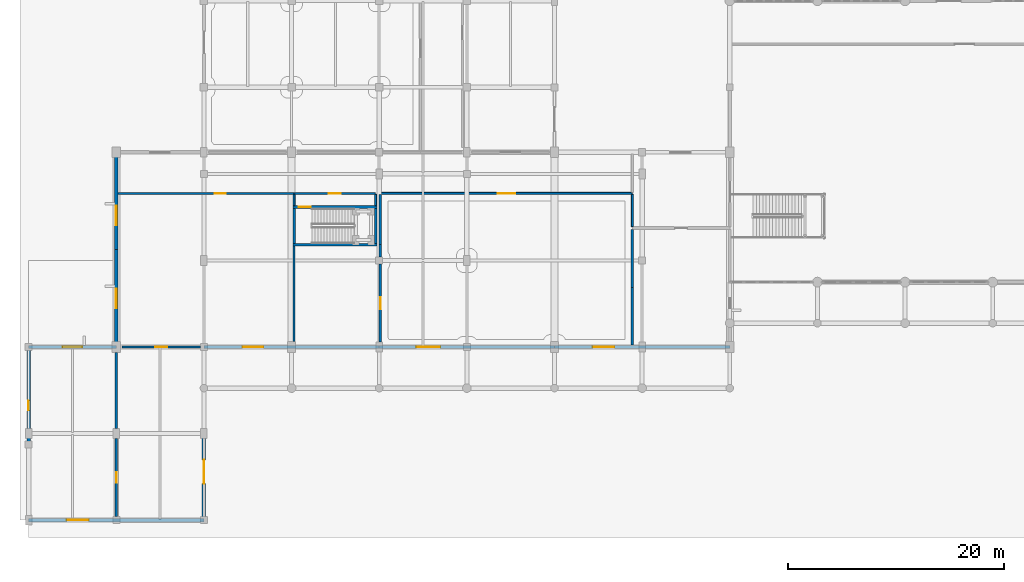
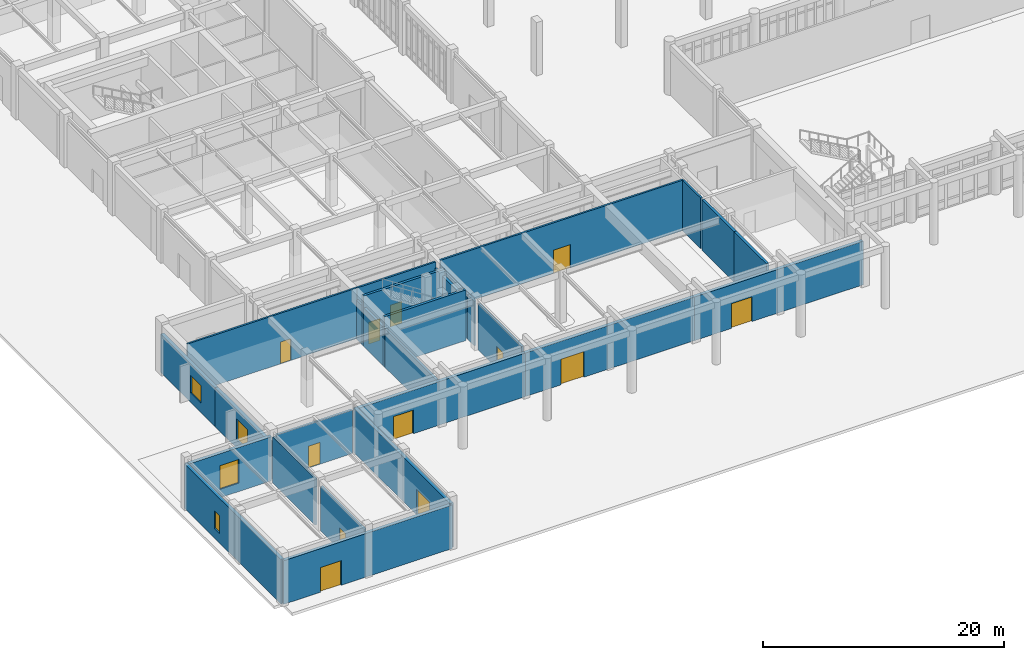
# One storey, part 41 of 62: 28 walls, 12 doors, 4 windows, 16 openings.
"""IFC4 building model written with IfcOpenShell, lengths in metres."""

from ifc_helpers import new_model, si_unit, direction, frame, frame_2d, origin, origin_with_axes, place, context, subcontext, project, spatial, rectangle, extrude, material, layer, layer_set, type_object, element, fill, save


model = new_model("IFC4")

# Units and contexts
model_context = context("Model", 3, precision=1e-05, world=origin(), true_north=direction((0.0, 1.0)))
body_context = subcontext(model_context, "Body", "Model", "MODEL_VIEW")
ifc_project = project(units=[si_unit("LENGTHUNIT", "METRE"), si_unit("AREAUNIT", "SQUARE_METRE"), si_unit("VOLUMEUNIT", "CUBIC_METRE"), si_unit("PLANEANGLEUNIT", "RADIAN"), si_unit("MASSUNIT", "GRAM", prefix="KILO")], contexts=[model_context])

# Site, building, storey
site_placement = place(None, origin())
site = spatial("IfcSite", under=ifc_project, at=site_placement, CompositionType="ELEMENT")
building_placement = place(site_placement, origin())
building = spatial("IfcBuilding", under=site, at=building_placement, Name="Tarnveldt Square Police Headquarters", CompositionType="ELEMENT")
storey_placement = place(building_placement, origin())
storey = spatial("IfcBuildingStorey", under=building, at=storey_placement, Name="L00", CompositionType="ELEMENT", Elevation=0.0)

# Wall, opening, door
ifc_material_1 = material(Name="Fire-rated Type X gypsum board on steel studs", Category="steel")
ifc_layer_1 = layer(ifc_material_1, 0.199951171875)
ifc_layer_set_1 = layer_set([ifc_layer_1], Name="Fire-rated Type X gypsum board on steel studs")
wall_type_1 = type_object("IfcWallType", Name="WL-ACOUST-200", PredefinedType="PARTITIONING", material=ifc_layer_set_1)
wall_1_placement = place(storey_placement, frame((8.60791015625, 16.0, 0.0), z_axis=(0.0, 0.0, 1.0), x_axis=(1.0, 0.0, 0.0)))
wall_1 = element("IfcWall", 1, at=wall_1_placement, inside=storey, type_object=wall_type_1, Name="L00 Interior Partition Wall 0102", PredefinedType="PARTITIONING", context=body_context, shape_type="SweptSolid", body=[
    extrude(rectangle(XDim=7.259033203125, YDim=0.199951171875, at=frame_2d((3.62939453125, 0.0))), origin(), (0.0, 0.0, 1.0), 4.412109375),
])
opening_1_placement = place(wall_1_placement, frame((3.07958984375, 0.0, 0.0)))
opening_1 = element("IfcOpeningElement", 2, at=opening_1_placement, cuts=wall_1, Name="Opening D07", PredefinedType="OPENING", context=body_context, shape_type="SweptSolid", body=[
    extrude(rectangle(XDim=1.10009765625, YDim=2.199951171875, at=frame_2d((0.550048828125, 1.10009765625))), frame((0.0, 0.10986328125, 0.0), z_axis=(0.0, -1.0, 0.0), x_axis=(1.0, 0.0, 0.0)), (0.0, 0.0, 1.0), 0.219970703125),
])
ifc_material_2 = material(Name="Solid core architectural birch door leaf", Category="wood")
door_type_1 = type_object("IfcDoorType", Name="DR-INT-1100", OperationType="NOTDEFINED", PredefinedType="DOOR", material=ifc_material_2)
door_1_placement = place(opening_1_placement, frame((1.10009765625, 0.0, 0.0), z_axis=(0.0, 0.0, 1.0), x_axis=(-1.0, 0.0, 0.0)))
door_1 = element("IfcDoor", 3, at=door_1_placement, inside=storey, type_object=door_type_1, Name="Community Liaison Consultation Room Door", OperationType="SINGLE_SWING_LEFT", OverallHeight=2.199951171875, OverallWidth=1.10009765625, PredefinedType="DOOR", context=body_context, shape_type="SweptSolid", body=[
    extrude(rectangle(XDim=1.10009765625, YDim=2.199951171875, at=frame_2d((0.550048828125, 1.10009765625))), frame((0.0, 0.02490234375, 0.0), z_axis=(0.0, -1.0, 0.0), x_axis=(1.0, 0.0, 0.0)), (0.0, 0.0, 1.0), 0.050048828125),
])
fill(opening_1, door_1)

wall_2_placement = place(storey_placement, frame((8.10009765625, 0.3330078125, 0.0), z_axis=(0.0, 0.0, 1.0), x_axis=(0.0, 1.0, 0.0)))
wall_2 = element("IfcWall", 4, at=wall_2_placement, inside=storey, type_object=wall_type_1, Name="L00 Interior Partition Wall 0142", PredefinedType="PARTITIONING", context=body_context, shape_type="SweptSolid", body=[
    extrude(rectangle(XDim=7.208984375, YDim=0.199951171875, at=frame_2d((3.6044921875, 0.0))), origin(), (0.0, 0.0, 1.0), 4.511962890625),
])
opening_2_placement = place(wall_2_placement, frame((3.1044921875, 0.0, 0.0)))
opening_2 = element("IfcOpeningElement", 5, at=opening_2_placement, cuts=wall_2, Name="Opening D05", PredefinedType="OPENING", context=body_context, shape_type="SweptSolid", body=[
    extrude(rectangle(XDim=1.0, YDim=2.199951171875, at=frame_2d((0.5, 1.10009765625))), frame((0.0, 0.10986328125, 0.0), z_axis=(0.0, -1.0, 0.0), x_axis=(1.0, 0.0, 0.0)), (0.0, 0.0, 1.0), 0.219970703125),
])
door_type_2 = type_object("IfcDoorType", Name="DR-INT-1000", OperationType="NOTDEFINED", PredefinedType="DOOR", material=ifc_material_2)
door_2_placement = place(opening_2_placement, origin())
door_2 = element("IfcDoor", 6, at=door_2_placement, inside=storey, type_object=door_type_2, Name="Civic Square Public Outreach Office Door", OperationType="SINGLE_SWING_LEFT", OverallHeight=2.199951171875, OverallWidth=1.0, PredefinedType="DOOR", context=body_context, shape_type="SweptSolid", body=[
    extrude(rectangle(XDim=1.0, YDim=2.199951171875, at=frame_2d((0.5, 1.10009765625))), frame((0.0, 0.02490234375, 0.0), z_axis=(0.0, -1.0, 0.0), x_axis=(1.0, 0.0, 0.0)), (0.0, 0.0, 1.0), 0.050048828125),
])
fill(opening_2, door_2)

# Walls
wall_3_placement = place(storey_placement, frame((8.10009765625, 8.4580078125, 0.0), z_axis=(0.0, 0.0, 1.0), x_axis=(0.0, 1.0, 0.0)))
element("IfcWall", 7, at=wall_3_placement, inside=storey, type_object=wall_type_1, Name="L00 Interior Partition Wall 0143", PredefinedType="PARTITIONING", context=body_context, shape_type="SweptSolid", body=[
    extrude(rectangle(XDim=7.033935546875, YDim=0.199951171875, at=frame_2d((3.51708984375, 0.0))), origin(), (0.0, 0.0, 1.0), 4.695068359375),
])
wall_4_placement = place(storey_placement, frame((24.530029296875, 16.508056640625, 0.0), z_axis=(0.0, 0.0, 1.0), x_axis=(0.0, 1.0, 0.0)))
element("IfcWall", 8, at=wall_4_placement, inside=storey, type_object=wall_type_1, Name="L00 Interior Partition Wall 0145", PredefinedType="PARTITIONING", context=body_context, shape_type="SweptSolid", body=[
    extrude(rectangle(XDim=8.823974609375, YDim=0.199951171875, at=frame_2d((4.412109375, 0.0))), origin(), (0.0, 0.0, 1.0), 3.912109375),
])

# Wall, opening, door
wall_5_placement = place(storey_placement, frame((32.5, 16.4580078125, 0.0), z_axis=(0.0, 0.0, 1.0), x_axis=(0.0, 1.0, 0.0)))
wall_5 = element("IfcWall", 9, at=wall_5_placement, inside=storey, type_object=wall_type_1, Name="L00 Interior Partition Wall 0152", PredefinedType="PARTITIONING", context=body_context, shape_type="SweptSolid", body=[
    extrude(rectangle(XDim=7.208984375, YDim=0.199951171875, at=frame_2d((3.6044921875, 0.0))), origin(), (0.0, 0.0, 1.0), 4.695068359375),
])
opening_3_placement = place(wall_5_placement, frame((3.054443359375, 0.0, 0.0)))
opening_3 = element("IfcOpeningElement", 10, at=opening_3_placement, cuts=wall_5, Name="Opening D07", PredefinedType="OPENING", context=body_context, shape_type="SweptSolid", body=[
    extrude(rectangle(XDim=1.10009765625, YDim=2.199951171875, at=frame_2d((0.550048828125, 1.10009765625))), frame((0.0, 0.10986328125, 0.0), z_axis=(0.0, -1.0, 0.0), x_axis=(1.0, 0.0, 0.0)), (0.0, 0.0, 1.0), 0.219970703125),
])
door_3_placement = place(opening_3_placement, origin())
door_3 = element("IfcDoor", 11, at=door_3_placement, inside=storey, type_object=door_type_1, Name="Citizen Reporting Waiting Lounge Door", OperationType="SINGLE_SWING_RIGHT", OverallHeight=2.199951171875, OverallWidth=1.10009765625, PredefinedType="DOOR", context=body_context, shape_type="SweptSolid", body=[
    extrude(rectangle(XDim=1.10009765625, YDim=2.199951171875, at=frame_2d((0.550048828125, 1.10009765625))), frame((0.0, 0.02490234375, 0.0), z_axis=(0.0, -1.0, 0.0), x_axis=(1.0, 0.0, 0.0)), (0.0, 0.0, 1.0), 0.050048828125),
])
fill(opening_3, door_3)

# Walls
wall_6_placement = place(storey_placement, frame((32.5, 24.3330078125, 0.0), z_axis=(0.0, 0.0, 1.0), x_axis=(0.0, 1.0, 0.0)))
element("IfcWall", 12, at=wall_6_placement, inside=storey, type_object=wall_type_1, Name="L00 Interior Partition Wall 0153", PredefinedType="PARTITIONING", context=body_context, shape_type="SweptSolid", body=[
    extrude(rectangle(XDim=1.126953125, YDim=0.199951171875, at=frame_2d((0.5634765625, 0.0))), origin(), (0.0, 0.0, 1.0), 4.511962890625),
])
wall_7_placement = place(storey_placement, frame((32.5, 25.4599609375, 0.0), z_axis=(0.0, 0.0, 1.0), x_axis=(0.0, 1.0, 0.0)))
element("IfcWall", 13, at=wall_7_placement, inside=storey, type_object=wall_type_1, Name="L00 Interior Partition Wall 0154", PredefinedType="PARTITIONING", context=body_context, shape_type="SweptSolid", body=[
    extrude(rectangle(XDim=4.64208984375, YDim=0.199951171875, at=frame_2d((2.321044921875, 0.0))), origin(), (0.0, 0.0, 1.0), 4.511962890625),
])

# Wall, opening, window
ifc_material_3 = material(Name="Concrete 40 MPa", Category="concrete")
ifc_layer_2 = layer(ifc_material_3, 0.320068359375)
ifc_layer_set_2 = layer_set([ifc_layer_2], Name="Concrete 40 MPa")
wall_type_2 = type_object("IfcWallType", Name="WL-EXT-BH320", PredefinedType="SOLIDWALL", material=ifc_layer_set_2)
wall_8_placement = place(storey_placement, frame((0.0, 16.0, 0.0), z_axis=(0.0, 0.0, 1.0), x_axis=(0.0, -1.0, 0.0)))
wall_8 = element("IfcWall", 14, at=wall_8_placement, inside=storey, type_object=wall_type_2, Name="L00 Brutalist Exterior Wall 0001", PredefinedType="SOLIDWALL", context=body_context, shape_type="SweptSolid", body=[
    extrude(rectangle(XDim=16.0, YDim=0.320068359375, at=frame_2d((8.0, 0.0))), origin(), (0.0, 0.0, 1.0), 4.511962890625),
])
opening_4_placement = place(wall_8_placement, frame((4.949951171875, 0.0, 0.949951171875)))
opening_4 = element("IfcOpeningElement", 15, at=opening_4_placement, cuts=wall_8, Name="Opening W01", PredefinedType="OPENING", context=body_context, shape_type="SweptSolid", body=[
    extrude(rectangle(XDim=0.89990234375, YDim=1.800048828125, at=frame_2d((0.449951171875, 0.89990234375))), frame((0.0, 0.169921875, 0.0), z_axis=(0.0, -1.0, 0.0), x_axis=(1.0, 0.0, 0.0)), (0.0, 0.0, 1.0), 0.340087890625),
])
ifc_material_4 = material(Name="Triple-glazed low-e laminated vision glass", Category="glass")
window_type_1 = type_object("IfcWindowType", Name="WIN-DR-090x180", PartitioningType="SINGLE_PANEL", PredefinedType="WINDOW", material=ifc_material_4)
window_1_placement = place(opening_4_placement, origin())
window_1 = element("IfcWindow", 16, at=window_1_placement, inside=storey, type_object=window_type_1, Name="L00 Deep-Reveal Brutalist Window 0001", OverallHeight=1.800048828125, OverallWidth=0.89990234375, PartitioningType="SINGLE_PANEL", PredefinedType="WINDOW", context=body_context, shape_type="SweptSolid", body=[
    extrude(rectangle(XDim=0.89990234375, YDim=1.800048828125, at=frame_2d((0.449951171875, 0.89990234375))), frame((0.0, 0.030029296875, 0.0), z_axis=(0.0, -1.0, 0.0), x_axis=(1.0, 0.0, 0.0)), (0.0, 0.0, 1.0), 0.06005859375),
])
fill(opening_4, window_1)

# Wall, opening, door
wall_9_placement = place(storey_placement, origin_with_axes())
wall_9 = element("IfcWall", 17, at=wall_9_placement, inside=storey, type_object=wall_type_2, Name="L00 Brutalist Exterior Wall 0002", PredefinedType="SOLIDWALL", context=body_context, shape_type="SweptSolid", body=[
    extrude(rectangle(XDim=16.199951171875, YDim=0.320068359375, at=frame_2d((8.10009765625, 0.0))), origin(), (0.0, 0.0, 1.0), 4.412109375),
])
opening_5_placement = place(wall_9_placement, frame((3.535888671875, 0.0, 0.0)))
opening_5 = element("IfcOpeningElement", 18, at=opening_5_placement, cuts=wall_9, Name="Opening D-E01", PredefinedType="OPENING", context=body_context, shape_type="SweptSolid", body=[
    extrude(rectangle(XDim=2.0, YDim=2.5, at=frame_2d((1.0, 1.25))), frame((0.0, 0.169921875, 0.0), z_axis=(0.0, -1.0, 0.0), x_axis=(1.0, 0.0, 0.0)), (0.0, 0.0, 1.0), 0.340087890625),
])
ifc_material_5 = material(Name="Thermally broken anodised aluminium 6063-T6", Category="aluminium")
door_type_3 = type_object("IfcDoorType", Name="DR-EXIT-2000", OperationType="DOUBLE_DOOR_SINGLE_SWING", PredefinedType="DOOR", material=ifc_material_5)
door_4_placement = place(opening_5_placement, frame((2.0, 0.0, 0.0), z_axis=(0.0, 0.0, 1.0), x_axis=(-1.0, 0.0, 0.0)))
door_4 = element("IfcDoor", 19, at=door_4_placement, inside=storey, type_object=door_type_3, Name="Pedestrian Grade Final Exit Door D-E01", OperationType="DOUBLE_DOOR_SINGLE_SWING", OverallHeight=2.5, OverallWidth=2.0, PredefinedType="DOOR", context=body_context, shape_type="SweptSolid", body=[
    extrude(rectangle(XDim=2.0, YDim=2.5, at=frame_2d((1.0, 1.25))), frame((0.0, 0.02490234375, 0.0), z_axis=(0.0, -1.0, 0.0), x_axis=(1.0, 0.0, 0.0)), (0.0, 0.0, 1.0), 0.050048828125),
])
fill(opening_5, door_4)

wall_10_placement = place(storey_placement, frame((16.199951171875, 0.0, 0.0), z_axis=(0.0, 0.0, 1.0), x_axis=(0.0, 1.0, 0.0)))
wall_10 = element("IfcWall", 20, at=wall_10_placement, inside=storey, type_object=wall_type_2, Name="L00 Brutalist Exterior Wall 0003", PredefinedType="SOLIDWALL", context=body_context, shape_type="SweptSolid", body=[
    extrude(rectangle(XDim=16.0, YDim=0.320068359375, at=frame_2d((8.0, 0.0))), origin(), (0.0, 0.0, 1.0), 4.511962890625),
])
opening_6_placement = place(wall_10_placement, frame((3.3798828125, 0.0, 0.0)))
opening_6 = element("IfcOpeningElement", 21, at=opening_6_placement, cuts=wall_10, Name="Opening D-E02", PredefinedType="OPENING", context=body_context, shape_type="SweptSolid", body=[
    extrude(rectangle(XDim=2.199951171875, YDim=2.60009765625, at=frame_2d((1.10009765625, 1.300048828125))), frame((0.0, 0.169921875, 0.0), z_axis=(0.0, -1.0, 0.0), x_axis=(1.0, 0.0, 0.0)), (0.0, 0.0, 1.0), 0.340087890625),
])
door_type_4 = type_object("IfcDoorType", Name="DR-EXIT-2200", OperationType="DOUBLE_DOOR_SINGLE_SWING", PredefinedType="DOOR", material=ifc_material_5)
door_5_placement = place(opening_6_placement, frame((2.199951171875, 0.0, 0.0), z_axis=(0.0, 0.0, 1.0), x_axis=(-1.0, 0.0, 0.0)))
door_5 = element("IfcDoor", 22, at=door_5_placement, inside=storey, type_object=door_type_4, Name="Pedestrian Grade Final Exit Door D-E02", OperationType="DOUBLE_DOOR_SINGLE_SWING", OverallHeight=2.60009765625, OverallWidth=2.199951171875, PredefinedType="DOOR", context=body_context, shape_type="SweptSolid", body=[
    extrude(rectangle(XDim=2.199951171875, YDim=2.60009765625, at=frame_2d((1.10009765625, 1.300048828125))), frame((0.0, 0.02490234375, 0.0), z_axis=(0.0, -1.0, 0.0), x_axis=(1.0, 0.0, 0.0)), (0.0, 0.0, 1.0), 0.050048828125),
])
fill(opening_6, door_5)

wall_11_placement = place(storey_placement, frame((16.199951171875, 16.0, 0.0), z_axis=(0.0, 0.0, 1.0), x_axis=(1.0, 0.0, 0.0)))
wall_11 = element("IfcWall", 23, at=wall_11_placement, inside=storey, type_object=wall_type_2, Name="L00 Brutalist Exterior Wall 0004", PredefinedType="SOLIDWALL", context=body_context, shape_type="SweptSolid", body=[
    extrude(rectangle(XDim=16.199951171875, YDim=0.320068359375, at=frame_2d((8.10009765625, 0.0))), origin(), (0.0, 0.0, 1.0), 4.412109375),
])
opening_7_placement = place(wall_11_placement, frame((3.5859375, 0.0, 0.0)))
opening_7 = element("IfcOpeningElement", 24, at=opening_7_placement, cuts=wall_11, Name="Opening D-E03", PredefinedType="OPENING", context=body_context, shape_type="SweptSolid", body=[
    extrude(rectangle(XDim=1.89990234375, YDim=2.39990234375, at=frame_2d((0.949951171875, 1.199951171875))), frame((0.0, 0.169921875, 0.0), z_axis=(0.0, -1.0, 0.0), x_axis=(1.0, 0.0, 0.0)), (0.0, 0.0, 1.0), 0.340087890625),
])
door_type_5 = type_object("IfcDoorType", Name="DR-EXIT-1900", OperationType="DOUBLE_DOOR_SINGLE_SWING", PredefinedType="DOOR", material=ifc_material_5)
door_6_placement = place(opening_7_placement, frame((1.89990234375, 0.0, 0.0), z_axis=(0.0, 0.0, 1.0), x_axis=(-1.0, 0.0, 0.0)))
door_6 = element("IfcDoor", 25, at=door_6_placement, inside=storey, type_object=door_type_5, Name="Pedestrian Grade Final Exit Door D-E03", OperationType="DOUBLE_DOOR_SINGLE_SWING", OverallHeight=2.39990234375, OverallWidth=1.89990234375, PredefinedType="DOOR", context=body_context, shape_type="SweptSolid", body=[
    extrude(rectangle(XDim=1.89990234375, YDim=2.39990234375, at=frame_2d((0.949951171875, 1.199951171875))), frame((0.0, 0.02490234375, 0.0), z_axis=(0.0, -1.0, 0.0), x_axis=(1.0, 0.0, 0.0)), (0.0, 0.0, 1.0), 0.050048828125),
])
fill(opening_7, door_6)

wall_12_placement = place(storey_placement, frame((32.39990234375, 16.0, 0.0), z_axis=(0.0, 0.0, 1.0), x_axis=(1.0, 0.0, 0.0)))
wall_12 = element("IfcWall", 26, at=wall_12_placement, inside=storey, type_object=wall_type_2, Name="L00 Brutalist Exterior Wall 0005", PredefinedType="SOLIDWALL", context=body_context, shape_type="SweptSolid", body=[
    extrude(rectangle(XDim=16.2001953125, YDim=0.320068359375, at=frame_2d((8.10009765625, 0.0))), origin(), (0.0, 0.0, 1.0), 4.412109375),
])
opening_8_placement = place(wall_12_placement, frame((3.43603515625, 0.0, 0.0)))
opening_8 = element("IfcOpeningElement", 27, at=opening_8_placement, cuts=wall_12, Name="Opening D-E04", PredefinedType="OPENING", context=body_context, shape_type="SweptSolid", body=[
    extrude(rectangle(XDim=2.199951171875, YDim=2.60009765625, at=frame_2d((1.10009765625, 1.300048828125))), frame((0.0, 0.169921875, 0.0), z_axis=(0.0, -1.0, 0.0), x_axis=(1.0, 0.0, 0.0)), (0.0, 0.0, 1.0), 0.340087890625),
])
door_7_placement = place(opening_8_placement, frame((2.199951171875, 0.0, 0.0), z_axis=(0.0, 0.0, 1.0), x_axis=(-1.0, 0.0, 0.0)))
door_7 = element("IfcDoor", 28, at=door_7_placement, inside=storey, type_object=door_type_4, Name="Pedestrian Grade Final Exit Door D-E04", OperationType="DOUBLE_DOOR_SINGLE_SWING", OverallHeight=2.60009765625, OverallWidth=2.199951171875, PredefinedType="DOOR", context=body_context, shape_type="SweptSolid", body=[
    extrude(rectangle(XDim=2.199951171875, YDim=2.60009765625, at=frame_2d((1.10009765625, 1.300048828125))), frame((0.0, 0.02490234375, 0.0), z_axis=(0.0, -1.0, 0.0), x_axis=(1.0, 0.0, 0.0)), (0.0, 0.0, 1.0), 0.050048828125),
])
fill(opening_8, door_7)

wall_13_placement = place(storey_placement, frame((48.60009765625, 16.0, 0.0), z_axis=(0.0, 0.0, 1.0), x_axis=(1.0, 0.0, 0.0)))
wall_13 = element("IfcWall", 29, at=wall_13_placement, inside=storey, type_object=wall_type_2, Name="L00 Brutalist Exterior Wall 0006", PredefinedType="SOLIDWALL", context=body_context, shape_type="SweptSolid", body=[
    extrude(rectangle(XDim=16.199951171875, YDim=0.320068359375, at=frame_2d((8.10009765625, 0.0))), origin(), (0.0, 0.0, 1.0), 4.412109375),
])
opening_9_placement = place(wall_13_placement, frame((3.535888671875, 0.0, 0.0)))
opening_9 = element("IfcOpeningElement", 30, at=opening_9_placement, cuts=wall_13, Name="Opening D-E05", PredefinedType="OPENING", context=body_context, shape_type="SweptSolid", body=[
    extrude(rectangle(XDim=2.0, YDim=2.5, at=frame_2d((1.0, 1.25))), frame((0.0, 0.169921875, 0.0), z_axis=(0.0, -1.0, 0.0), x_axis=(1.0, 0.0, 0.0)), (0.0, 0.0, 1.0), 0.340087890625),
])
door_8_placement = place(opening_9_placement, frame((2.0, 0.0, 0.0), z_axis=(0.0, 0.0, 1.0), x_axis=(-1.0, 0.0, 0.0)))
door_8 = element("IfcDoor", 31, at=door_8_placement, inside=storey, type_object=door_type_3, Name="Pedestrian Grade Final Exit Door D-E05", OperationType="DOUBLE_DOOR_SINGLE_SWING", OverallHeight=2.5, OverallWidth=2.0, PredefinedType="DOOR", context=body_context, shape_type="SweptSolid", body=[
    extrude(rectangle(XDim=2.0, YDim=2.5, at=frame_2d((1.0, 1.25))), frame((0.0, 0.02490234375, 0.0), z_axis=(0.0, -1.0, 0.0), x_axis=(1.0, 0.0, 0.0)), (0.0, 0.0, 1.0), 0.050048828125),
])
fill(opening_9, door_8)

# Wall, opening, window
wall_14_placement = place(storey_placement, frame((8.10009765625, 34.0, 0.0), z_axis=(0.0, 0.0, 1.0), x_axis=(0.0, -1.0, 0.0)))
wall_14 = element("IfcWall", 32, at=wall_14_placement, inside=storey, type_object=wall_type_2, Name="L00 Brutalist Exterior Wall 0046", PredefinedType="SOLIDWALL", context=body_context, shape_type="SweptSolid", body=[
    extrude(rectangle(XDim=9.0, YDim=0.320068359375, at=frame_2d((4.5, 0.0))), origin(), (0.0, 0.0, 1.0), 3.912109375),
])
opening_10_placement = place(wall_14_placement, frame((4.949951171875, 0.0, 0.949951171875)))
opening_10 = element("IfcOpeningElement", 33, at=opening_10_placement, cuts=wall_14, Name="Opening W09", PredefinedType="OPENING", context=body_context, shape_type="SweptSolid", body=[
    extrude(rectangle(XDim=1.800048828125, YDim=1.800048828125, at=frame_2d((0.89990234375, 0.89990234375))), frame((0.0, 0.169921875, 0.0), z_axis=(0.0, -1.0, 0.0), x_axis=(1.0, 0.0, 0.0)), (0.0, 0.0, 1.0), 0.340087890625),
])
window_type_2 = type_object("IfcWindowType", Name="WIN-DR-180x180", PartitioningType="DOUBLE_PANEL_VERTICAL", PredefinedType="WINDOW", material=ifc_material_4)
window_2_placement = place(opening_10_placement, origin())
window_2 = element("IfcWindow", 34, at=window_2_placement, inside=storey, type_object=window_type_2, Name="L00 Deep-Reveal Brutalist Window 0009", OverallHeight=1.800048828125, OverallWidth=1.800048828125, PartitioningType="DOUBLE_PANEL_VERTICAL", PredefinedType="WINDOW", context=body_context, shape_type="SweptSolid", body=[
    extrude(rectangle(XDim=1.800048828125, YDim=1.800048828125, at=frame_2d((0.89990234375, 0.89990234375))), frame((0.0, 0.030029296875, 0.0), z_axis=(0.0, -1.0, 0.0), x_axis=(1.0, 0.0, 0.0)), (0.0, 0.0, 1.0), 0.06005859375),
])
fill(opening_10, window_2)

wall_15_placement = place(storey_placement, frame((8.10009765625, 25.0, 0.0), z_axis=(0.0, 0.0, 1.0), x_axis=(0.0, -1.0, 0.0)))
wall_15 = element("IfcWall", 35, at=wall_15_placement, inside=storey, type_object=wall_type_2, Name="L00 Brutalist Exterior Wall 0047", PredefinedType="SOLIDWALL", context=body_context, shape_type="SweptSolid", body=[
    extrude(rectangle(XDim=9.0, YDim=0.320068359375, at=frame_2d((4.5, 0.0))), origin(), (0.0, 0.0, 1.0), 3.912109375),
])
opening_11_placement = place(wall_15_placement, frame((3.60009765625, 0.0, 0.85009765625)))
opening_11 = element("IfcOpeningElement", 36, at=opening_11_placement, cuts=wall_15, Name="Opening W10", PredefinedType="OPENING", context=body_context, shape_type="SweptSolid", body=[
    extrude(rectangle(XDim=1.800048828125, YDim=2.10009765625, at=frame_2d((0.89990234375, 1.050048828125))), frame((0.0, 0.169921875, 0.0), z_axis=(0.0, -1.0, 0.0), x_axis=(1.0, 0.0, 0.0)), (0.0, 0.0, 1.0), 0.340087890625),
])
window_type_3 = type_object("IfcWindowType", Name="WIN-DR-180x210", PartitioningType="DOUBLE_PANEL_VERTICAL", PredefinedType="WINDOW", material=ifc_material_4)
window_3_placement = place(opening_11_placement, origin())
window_3 = element("IfcWindow", 37, at=window_3_placement, inside=storey, type_object=window_type_3, Name="L00 Deep-Reveal Brutalist Window 0010", OverallHeight=2.10009765625, OverallWidth=1.800048828125, PartitioningType="DOUBLE_PANEL_VERTICAL", PredefinedType="WINDOW", context=body_context, shape_type="SweptSolid", body=[
    extrude(rectangle(XDim=1.800048828125, YDim=2.10009765625, at=frame_2d((0.89990234375, 1.050048828125))), frame((0.0, 0.030029296875, 0.0), z_axis=(0.0, -1.0, 0.0), x_axis=(1.0, 0.0, 0.0)), (0.0, 0.0, 1.0), 0.06005859375),
])
fill(opening_11, window_3)

wall_16_placement = place(storey_placement, frame((8.10009765625, 16.0, 0.0), z_axis=(0.0, 0.0, 1.0), x_axis=(-1.0, 0.0, 0.0)))
wall_16 = element("IfcWall", 38, at=wall_16_placement, inside=storey, type_object=wall_type_2, Name="L00 Brutalist Exterior Wall 0048", PredefinedType="SOLIDWALL", context=body_context, shape_type="SweptSolid", body=[
    extrude(rectangle(XDim=8.10009765625, YDim=0.320068359375, at=frame_2d((4.050048828125, 0.0))), origin(), (0.0, 0.0, 1.0), 4.4619140625),
])
opening_12_placement = place(wall_16_placement, frame((3.14990234375, 0.0, 0.85009765625)))
opening_12 = element("IfcOpeningElement", 39, at=opening_12_placement, cuts=wall_16, Name="Opening W11", PredefinedType="OPENING", context=body_context, shape_type="SweptSolid", body=[
    extrude(rectangle(XDim=1.800048828125, YDim=2.39990234375, at=frame_2d((0.89990234375, 1.199951171875))), frame((0.0, 0.169921875, 0.0), z_axis=(0.0, -1.0, 0.0), x_axis=(1.0, 0.0, 0.0)), (0.0, 0.0, 1.0), 0.340087890625),
])
window_type_4 = type_object("IfcWindowType", Name="WIN-DR-180x240", PartitioningType="TRIPLE_PANEL_VERTICAL", PredefinedType="WINDOW", material=ifc_material_4)
window_4_placement = place(opening_12_placement, origin())
window_4 = element("IfcWindow", 40, at=window_4_placement, inside=storey, type_object=window_type_4, Name="L00 Deep-Reveal Brutalist Window 0011", OverallHeight=2.39990234375, OverallWidth=1.800048828125, PartitioningType="TRIPLE_PANEL_VERTICAL", PredefinedType="WINDOW", context=body_context, shape_type="SweptSolid", body=[
    extrude(rectangle(XDim=1.800048828125, YDim=2.39990234375, at=frame_2d((0.89990234375, 1.199951171875))), frame((0.0, 0.030029296875, 0.0), z_axis=(0.0, -1.0, 0.0), x_axis=(1.0, 0.0, 0.0)), (0.0, 0.0, 1.0), 0.06005859375),
])
fill(opening_12, window_4)

# Wall, opening, door
ifc_layer_3 = layer(ifc_material_1, 0.179931640625)
ifc_layer_set_3 = layer_set([ifc_layer_3], Name="Fire-rated Type X gypsum board on steel studs")
wall_type_3 = type_object("IfcWallType", Name="WL-FIRE-180", PredefinedType="PARTITIONING", material=ifc_layer_set_3)
wall_17_placement = place(storey_placement, frame((8.26806640625, 30.199951171875, 0.0), z_axis=(0.0, 0.0, 1.0), x_axis=(1.0, 0.0, 0.0)))
wall_17 = element("IfcWall", 41, at=wall_17_placement, inside=storey, type_object=wall_type_3, Name="L00 Interior Partition Wall 0103", PredefinedType="PARTITIONING", context=body_context, shape_type="SweptSolid", body=[
    extrude(rectangle(XDim=16.261962890625, YDim=0.179931640625, at=frame_2d((8.130859375, 0.0))), origin(), (0.0, 0.0, 1.0), 5.1201171875),
])
opening_13_placement = place(wall_17_placement, frame((8.931884765625, 0.0, 0.0)))
opening_13 = element("IfcOpeningElement", 42, at=opening_13_placement, cuts=wall_17, Name="Opening D05", PredefinedType="OPENING", context=body_context, shape_type="SweptSolid", body=[
    extrude(rectangle(XDim=1.0, YDim=2.199951171875, at=frame_2d((0.5, 1.10009765625))), frame((0.0, 0.099853515625, 0.0), z_axis=(0.0, -1.0, 0.0), x_axis=(1.0, 0.0, 0.0)), (0.0, 0.0, 1.0), 0.199951171875),
])
door_9_placement = place(opening_13_placement, frame((1.0, 0.0, 0.0), z_axis=(0.0, 0.0, 1.0), x_axis=(-1.0, 0.0, 0.0)))
door_9 = element("IfcDoor", 43, at=door_9_placement, inside=storey, type_object=door_type_2, Name="Victim and Witness Reception Suite Door", OperationType="SINGLE_SWING_RIGHT", OverallHeight=2.199951171875, OverallWidth=1.0, PredefinedType="DOOR", context=body_context, shape_type="SweptSolid", body=[
    extrude(rectangle(XDim=1.0, YDim=2.199951171875, at=frame_2d((0.5, 1.10009765625))), frame((0.0, 0.02490234375, 0.0), z_axis=(0.0, -1.0, 0.0), x_axis=(1.0, 0.0, 0.0)), (0.0, 0.0, 1.0), 0.050048828125),
])
fill(opening_13, door_9)

wall_18_placement = place(storey_placement, frame((24.530029296875, 30.199951171875, 0.0), z_axis=(0.0, 0.0, 1.0), x_axis=(1.0, 0.0, 0.0)))
wall_18 = element("IfcWall", 44, at=wall_18_placement, inside=storey, type_object=wall_type_3, Name="L00 Interior Partition Wall 0117", PredefinedType="PARTITIONING", context=body_context, shape_type="SweptSolid", body=[
    extrude(rectangle(XDim=7.5400390625, YDim=0.179931640625, at=frame_2d((3.77001953125, 0.0))), origin(), (0.0, 0.0, 1.0), 5.1201171875),
])
opening_14_placement = place(wall_18_placement, frame((3.219970703125, 0.0, 0.0)))
opening_14 = element("IfcOpeningElement", 45, at=opening_14_placement, cuts=wall_18, Name="Opening D15", PredefinedType="OPENING", context=body_context, shape_type="SweptSolid", body=[
    extrude(rectangle(XDim=1.10009765625, YDim=2.199951171875, at=frame_2d((0.550048828125, 1.10009765625))), frame((0.0, 0.099853515625, 0.0), z_axis=(0.0, -1.0, 0.0), x_axis=(1.0, 0.0, 0.0)), (0.0, 0.0, 1.0), 0.199951171875),
])
ifc_material_6 = material(Name="Insulated hollow metal steel door leaf", Category="steel")
door_type_6 = type_object("IfcDoorType", Name="DR-FD60-1100", OperationType="NOTDEFINED", PredefinedType="DOOR", material=ifc_material_6)
door_10_placement = place(opening_14_placement, origin())
door_10 = element("IfcDoor", 46, at=door_10_placement, inside=storey, type_object=door_type_6, Name="Exit Stair ST6 Vestibule L00 Door", OperationType="SINGLE_SWING_LEFT", OverallHeight=2.199951171875, OverallWidth=1.10009765625, PredefinedType="DOOR", context=body_context, shape_type="SweptSolid", body=[
    extrude(rectangle(XDim=1.10009765625, YDim=2.199951171875, at=frame_2d((0.550048828125, 1.10009765625))), frame((0.0, 0.02490234375, 0.0), z_axis=(0.0, -1.0, 0.0), x_axis=(1.0, 0.0, 0.0)), (0.0, 0.0, 1.0), 0.050048828125),
])
fill(opening_14, door_10)

wall_19_placement = place(storey_placement, frame((32.5, 30.199951171875, 0.0), z_axis=(0.0, 0.0, 1.0), x_axis=(1.0, 0.0, 0.0)))
wall_19 = element("IfcWall", 47, at=wall_19_placement, inside=storey, type_object=wall_type_3, Name="L00 Interior Partition Wall 0126", PredefinedType="PARTITIONING", context=body_context, shape_type="SweptSolid", body=[
    extrude(rectangle(XDim=23.300048828125, YDim=0.179931640625, at=frame_2d((11.64990234375, 0.0))), origin(), (0.0, 0.0, 1.0), 5.1201171875),
])
opening_15_placement = place(wall_19_placement, frame((10.85009765625, 0.0, 0.0)))
opening_15 = element("IfcOpeningElement", 48, at=opening_15_placement, cuts=wall_19, Name="Opening D23", PredefinedType="OPENING", context=body_context, shape_type="SweptSolid", body=[
    extrude(rectangle(XDim=1.60009765625, YDim=2.35009765625, at=frame_2d((0.800048828125, 1.175048828125))), frame((0.0, 0.099853515625, 0.0), z_axis=(0.0, -1.0, 0.0), x_axis=(1.0, 0.0, 0.0)), (0.0, 0.0, 1.0), 0.199951171875),
])
door_type_7 = type_object("IfcDoorType", Name="DR-PAIR-1600", OperationType="DOUBLE_DOOR_SINGLE_SWING", PredefinedType="DOOR", material=ifc_material_2)
door_11_placement = place(opening_15_placement, frame((1.60009765625, 0.0, 0.0), z_axis=(0.0, 0.0, 1.0), x_axis=(-1.0, 0.0, 0.0)))
door_11 = element("IfcDoor", 49, at=door_11_placement, inside=storey, type_object=door_type_7, Name="Public Front Counter Hall Door", OperationType="DOUBLE_DOOR_SINGLE_SWING", OverallHeight=2.35009765625, OverallWidth=1.60009765625, PredefinedType="DOOR", context=body_context, shape_type="SweptSolid", body=[
    extrude(rectangle(XDim=1.60009765625, YDim=2.35009765625, at=frame_2d((0.800048828125, 1.175048828125))), frame((0.0, 0.02490234375, 0.0), z_axis=(0.0, -1.0, 0.0), x_axis=(1.0, 0.0, 0.0)), (0.0, 0.0, 1.0), 0.050048828125),
])
fill(opening_15, door_11)

# Walls
wall_20_placement = place(storey_placement, frame((24.530029296875, 29.068115234375, 0.0), z_axis=(0.0, 0.0, 1.0), x_axis=(0.0, 1.0, 0.0)))
element("IfcWall", 50, at=wall_20_placement, inside=storey, type_object=wall_type_3, Name="L00 Interior Partition Wall 0146", PredefinedType="PARTITIONING", context=body_context, shape_type="SweptSolid", body=[
    extrude(rectangle(XDim=1.033935546875, YDim=0.179931640625, at=frame_2d((0.51708984375, 0.0))), origin(), (0.0, 0.0, 1.0), 3.912109375),
])
wall_21_placement = place(storey_placement, frame((32.070068359375, 29.068115234375, 0.0), z_axis=(0.0, 0.0, 1.0), x_axis=(0.0, 1.0, 0.0)))
element("IfcWall", 51, at=wall_21_placement, inside=storey, type_object=wall_type_3, Name="L00 Interior Partition Wall 0151", PredefinedType="PARTITIONING", context=body_context, shape_type="SweptSolid", body=[
    extrude(rectangle(XDim=1.033935546875, YDim=0.179931640625, at=frame_2d((0.51708984375, 0.0))), origin(), (0.0, 0.0, 1.0), 4.511962890625),
])
wall_22_placement = place(storey_placement, frame((55.800048828125, 27.1279296875, 0.0), z_axis=(0.0, 0.0, 1.0), x_axis=(0.0, 1.0, 0.0)))
element("IfcWall", 52, at=wall_22_placement, inside=storey, type_object=wall_type_3, Name="L00 Interior Partition Wall 0178", PredefinedType="PARTITIONING", context=body_context, shape_type="SweptSolid", body=[
    extrude(rectangle(XDim=2.97412109375, YDim=0.179931640625, at=frame_2d((1.487060546875, 0.0))), origin(), (0.0, 0.0, 1.0), 5.1201171875),
])
ifc_material_7 = material(Name="Concrete block masonry 15 MPa", Category="masonry")
ifc_layer_4 = layer(ifc_material_7, 0.239990234375)
ifc_layer_set_4 = layer_set([ifc_layer_4], Name="Concrete block masonry 15 MPa")
wall_type_4 = type_object("IfcWallType", Name="WL-FIRE-240", PredefinedType="PARTITIONING", material=ifc_layer_set_4)
wall_23_placement = place(storey_placement, frame((24.409912109375, 25.4599609375, 0.0), z_axis=(0.0, 0.0, 1.0), x_axis=(1.0, 0.0, 0.0)))
element("IfcWall", 53, at=wall_23_placement, inside=storey, type_object=wall_type_4, Name="Exit Stair ST6 L00 S Enclosure Wall", PredefinedType="PARTITIONING", context=body_context, shape_type="SweptSolid", body=[
    extrude(rectangle(XDim=7.780029296875, YDim=0.239990234375, at=frame_2d((3.89013671875, 0.0))), origin(), (0.0, 0.0, 1.0), 5.1201171875),
])

# Wall, opening, door
wall_24_placement = place(storey_placement, frame((24.409912109375, 28.93994140625, 0.0), z_axis=(0.0, 0.0, 1.0), x_axis=(1.0, 0.0, 0.0)))
wall_24 = element("IfcWall", 54, at=wall_24_placement, inside=storey, type_object=wall_type_4, Name="Exit Stair ST6 L00 N Enclosure Wall", PredefinedType="PARTITIONING", context=body_context, shape_type="SweptSolid", body=[
    extrude(rectangle(XDim=7.780029296875, YDim=0.239990234375, at=frame_2d((3.89013671875, 0.0))), origin(), (0.0, 0.0, 1.0), 5.1201171875),
])
opening_16_placement = place(wall_24_placement, frame((0.5400390625, 0.0, 0.0)))
opening_16 = element("IfcOpeningElement", 55, at=opening_16_placement, cuts=wall_24, Name="Opening D-ST6-L00", PredefinedType="OPENING", context=body_context, shape_type="SweptSolid", body=[
    extrude(rectangle(XDim=1.10009765625, YDim=2.199951171875, at=frame_2d((0.550048828125, 1.10009765625))), frame((0.0, 0.1298828125, 0.0), z_axis=(0.0, -1.0, 0.0), x_axis=(1.0, 0.0, 0.0)), (0.0, 0.0, 1.0), 0.260009765625),
])
door_type_8 = type_object("IfcDoorType", Name="DR-FD90-1100", OperationType="NOTDEFINED", PredefinedType="DOOR", material=ifc_material_6)
door_12_placement = place(opening_16_placement, origin())
door_12 = element("IfcDoor", 56, at=door_12_placement, inside=storey, type_object=door_type_8, Name="Exit Stair ST6 L00 Fire Door", OperationType="SINGLE_SWING_RIGHT", OverallHeight=2.199951171875, OverallWidth=1.10009765625, PredefinedType="DOOR", context=body_context, shape_type="SweptSolid", body=[
    extrude(rectangle(XDim=1.10009765625, YDim=2.199951171875, at=frame_2d((0.550048828125, 1.10009765625))), frame((0.0, 0.02490234375, 0.0), z_axis=(0.0, -1.0, 0.0), x_axis=(1.0, 0.0, 0.0)), (0.0, 0.0, 1.0), 0.050048828125),
])
fill(opening_16, door_12)

# Walls
wall_25_placement = place(storey_placement, frame((24.530029296875, 25.590087890625, 0.0), z_axis=(0.0, 0.0, 1.0), x_axis=(0.0, 1.0, 0.0)))
element("IfcWall", 57, at=wall_25_placement, inside=storey, type_object=wall_type_4, Name="Exit Stair ST6 L00 W Enclosure Wall", PredefinedType="PARTITIONING", context=body_context, shape_type="SweptSolid", body=[
    extrude(rectangle(XDim=3.219970703125, YDim=0.239990234375, at=frame_2d((1.60986328125, 0.0))), origin(), (0.0, 0.0, 1.0), 3.912109375),
])
wall_26_placement = place(storey_placement, frame((32.070068359375, 25.590087890625, 0.0), z_axis=(0.0, 0.0, 1.0), x_axis=(0.0, 1.0, 0.0)))
element("IfcWall", 58, at=wall_26_placement, inside=storey, type_object=wall_type_4, Name="Exit Stair ST6 L00 E Enclosure Wall", PredefinedType="PARTITIONING", context=body_context, shape_type="SweptSolid", body=[
    extrude(rectangle(XDim=3.219970703125, YDim=0.239990234375, at=frame_2d((1.60986328125, 0.0))), origin(), (0.0, 0.0, 1.0), 4.511962890625),
])
for number, where, z_axis, x_axis, name in (
    (59, (55.800048828125, 16.16796875, 0.0), (0.0, 0.0, 1.0), (0.0, 1.0, 0.0), "L00 Interior Partition Wall 0176"),
    (60, (55.800048828125, 21.52001953125, 0.0), (0.0, 0.0, 1.0), (0.0, 1.0, 0.0), "L00 Interior Partition Wall 0177"),
):
    element("IfcWall", number, at=place(storey_placement, frame(where, z_axis=z_axis, x_axis=x_axis)), inside=storey, type_object=wall_type_4, Name=name, PredefinedType="PARTITIONING", context=body_context, shape_type="SweptSolid", body=[
        extrude(rectangle(XDim=5.35205078125, YDim=0.239990234375, at=frame_2d((2.676025390625, 0.0))), origin(), (0.0, 0.0, 1.0), 5.1201171875),
    ])

save(model, "model.ifc")
